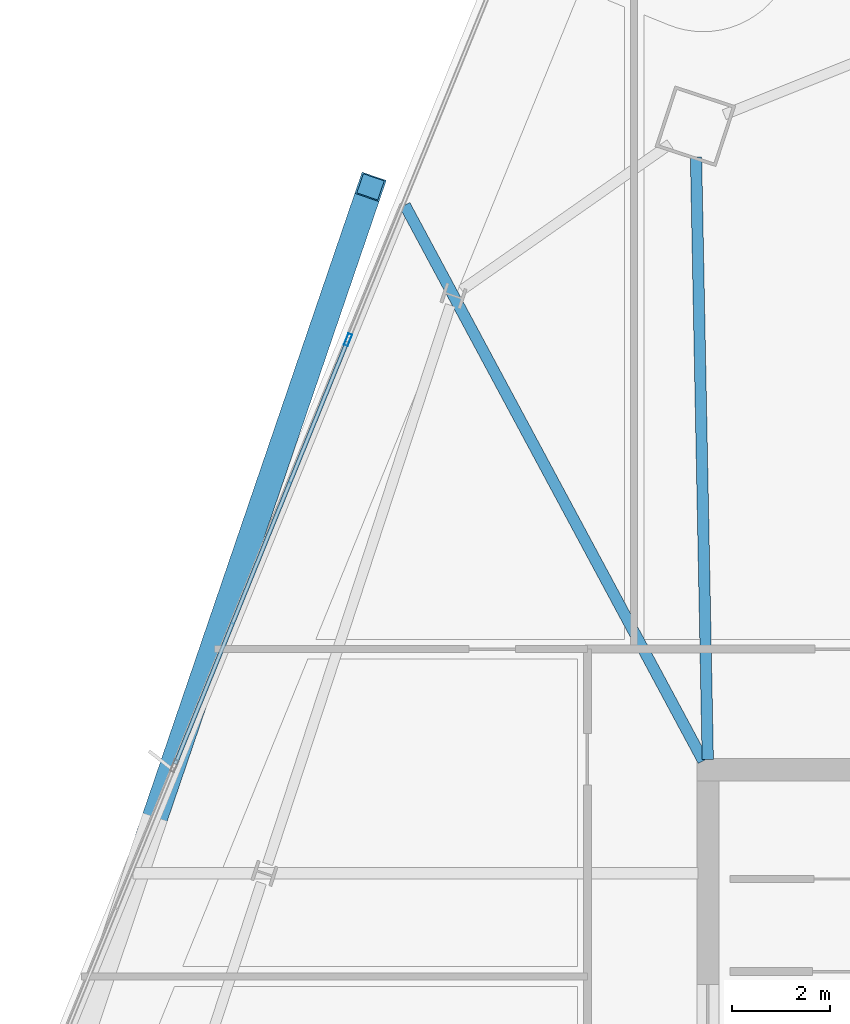
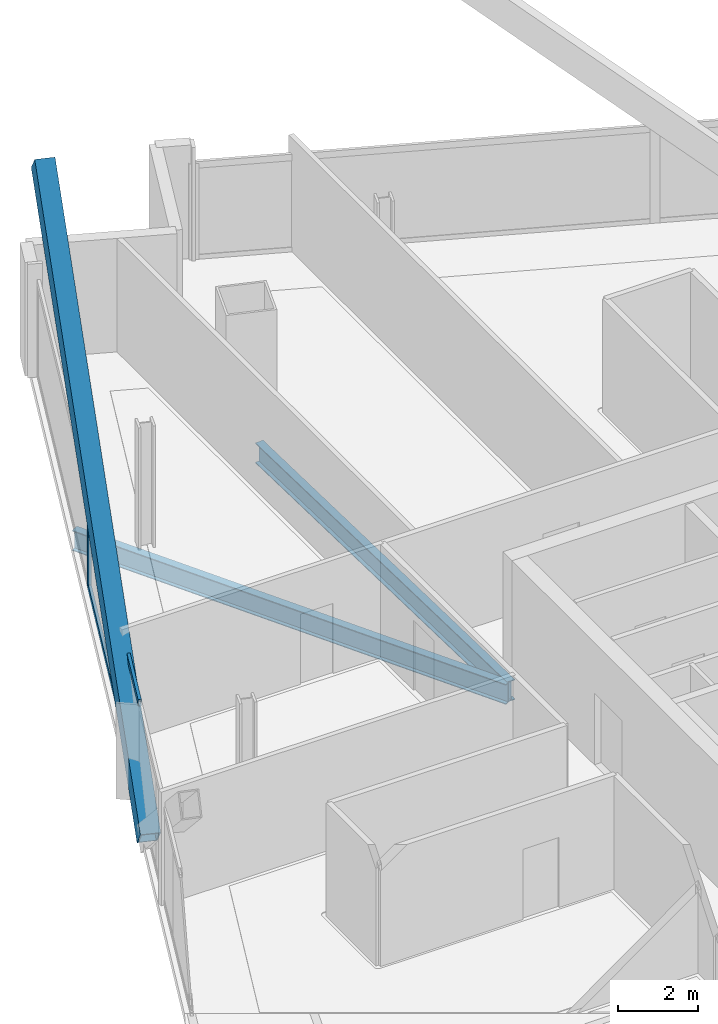
# One storey, part 17 of 31: 4 members, 2 beams, 1 element without a shape of its own.
"""IFC4 building model written with IfcOpenShell, lengths in metres."""

from ifc_helpers import new_model, si_unit, direction, frame, origin, origin_2d, place, context, subcontext, project, spatial, hollow_rectangle, i_section, extrude, material, material_profile, profile_set, type_object, element, aggregate, save


model = new_model("IFC4")

# Units and contexts
model_context = context("Model", 3, precision=1e-05, world=origin(), true_north=direction((0.0, 1.0)))
body_context = subcontext(model_context, "Body", "Model", "MODEL_VIEW")
ifc_project = project(units=[si_unit("LENGTHUNIT", "METRE"), si_unit("AREAUNIT", "SQUARE_METRE"), si_unit("VOLUMEUNIT", "CUBIC_METRE"), si_unit("PLANEANGLEUNIT", "RADIAN"), si_unit("MASSUNIT", "GRAM", prefix="KILO")], contexts=[model_context])

# Site, building, storey
site_placement = place(None, origin())
site = spatial("IfcSite", under=ifc_project, at=site_placement, CompositionType="ELEMENT")
building_placement = place(site_placement, origin())
building = spatial("IfcBuilding", under=site, at=building_placement, Name="Haldenkirk Collegiate Tower", CompositionType="ELEMENT")
storey_placement = place(building_placement, frame((0.0, 0.0, 256.199951171875)))
storey = spatial("IfcBuildingStorey", under=building, at=storey_placement, Name="L64", CompositionType="ELEMENT", Elevation=256.199951171875)

# Beams
ifc_material_1 = material(Name="Steel ASTM A992 Grade 50", Category="steel")
ifc_material_profile_1 = material_profile(ifc_material_1, i_section(OverallWidth=0.22998046875, OverallDepth=0.616943359375, WebThickness=0.01318359375, FlangeThickness=0.022216796875, at=origin_2d()), Name="W24X94")
ifc_profile_set_1 = profile_set([ifc_material_profile_1], Name="Steel ASTM A992 Grade 50")
beam_type = type_object("IfcBeamType", Name="BM-GIRDER-W24X94", PredefinedType="BEAM", material=ifc_profile_set_1)
beam_1_placement = place(storey_placement, frame((26.75732421875, 46.443603515625, -0.578369140625), z_axis=(0.019505953171, -0.999809740796, 0.0), x_axis=(0.999809740796, 0.019505953171, 0.0)))
element("IfcBeam", 1, at=beam_1_placement, inside=storey, type_object=beam_type, Name="L64 primary floor girder 03", PredefinedType="BEAM", context=body_context, shape_type="SweptSolid", body=[
    extrude(i_section(OverallWidth=0.22998046875, OverallDepth=0.616943359375, WebThickness=0.01318359375, FlangeThickness=0.022216796875, at=origin_2d()), origin(), (0.0, 0.0, 1.0), 12.240966796875),
])
beam_2_placement = place(storey_placement, frame((20.842041015625, 45.469482421875, -0.578369140625), z_axis=(0.473037080736, -0.881042518979, 0.0), x_axis=(0.881042518979, 0.473037080736, 0.0)))
element("IfcBeam", 2, at=beam_2_placement, inside=storey, type_object=beam_type, Name="L64 primary floor girder 11", PredefinedType="BEAM", context=body_context, shape_type="SweptSolid", body=[
    extrude(i_section(OverallWidth=0.22998046875, OverallDepth=0.616943359375, WebThickness=0.01318359375, FlangeThickness=0.022216796875, at=origin_2d()), origin(), (0.0, 0.0, 1.0), 12.81298828125),
])

# Curtain wall, members
ifc_material_2 = material(Name="Anodised architectural bronze aluminium", Category="aluminium")
curtain_wall_type = type_object("IfcCurtainWallType", Name="CW-SYS1B-CONVEX-HI", PredefinedType="USERDEFINED", material=ifc_material_2)
curtain_wall_placement = place(storey_placement, origin())
curtain_wall = element("IfcCurtainWall", 3, at=curtain_wall_placement, inside=storey, type_object=curtain_wall_type, Name="L64 Upper tower high-wind convex bronze unitised curtain wall", ObjectType="UNITISED CURTAIN WALL", PredefinedType="USERDEFINED")
ifc_material_profile_2 = material_profile(ifc_material_2, hollow_rectangle(XDim=0.0849609375, YDim=0.25, WallThickness=0.0048828125, at=origin_2d()), Name="CW-MUL-1B")
ifc_profile_set_2 = profile_set([ifc_material_profile_2], Name="Anodised architectural bronze aluminium")
member_type_1 = type_object("IfcMemberType", Name="CW-MUL-1B", PredefinedType="MULLION", material=ifc_profile_set_2)
member_1_placement = place(storey_placement, frame((19.68603515625, 42.73583984375, 0.0), z_axis=(0.0, 0.0, 1.0), x_axis=(-0.926198931916, 0.377035195329, 0.0)))
member_1 = element("IfcMember", 4, at=member_1_placement, type_object=member_type_1, Name="CW-1B mullion 4", PredefinedType="MULLION", context=body_context, shape_type="SweptSolid", body=[
    extrude(hollow_rectangle(XDim=0.0849609375, YDim=0.25, WallThickness=0.0048828125, at=origin_2d()), origin(), (0.0, 0.0, 1.0), 2.93798828125),
])
ifc_material_profile_3 = material_profile(ifc_material_2, hollow_rectangle(XDim=0.0849609375, YDim=0.199951171875, WallThickness=0.0048828125, at=origin_2d()), Name="CW-TRN-1B")
ifc_profile_set_3 = profile_set([ifc_material_profile_3], Name="Anodised architectural bronze aluminium")
member_type_2 = type_object("IfcMemberType", Name="CW-TRN-1B", PredefinedType="USERDEFINED", material=ifc_profile_set_3)
member_2_placement = place(storey_placement, frame((16.1767578125, 34.115478515625, 0.04248046875), z_axis=(0.377035714517, 0.926198720566, 0.0), x_axis=(-0.926198720566, 0.377035714517, 0.0)))
member_2 = element("IfcMember", 5, at=member_2_placement, type_object=member_type_2, Name="CW-1B transom 3.1", ObjectType="TRANSOM", PredefinedType="USERDEFINED", context=body_context, shape_type="SweptSolid", body=[
    extrude(hollow_rectangle(XDim=0.0849609375, YDim=0.199951171875, WallThickness=0.0048828125, at=origin_2d()), origin(), (0.0, 0.0, 1.0), 9.264892578125),
])
member_3_placement = place(storey_placement, frame((16.1767578125, 34.115478515625, 2.8955078125), z_axis=(0.377035714517, 0.926198720566, 0.0), x_axis=(-0.926198720566, 0.377035714517, 0.0)))
member_3 = element("IfcMember", 6, at=member_3_placement, type_object=member_type_2, Name="CW-1B transom 3.2", ObjectType="TRANSOM", PredefinedType="USERDEFINED", context=body_context, shape_type="SweptSolid", body=[
    extrude(hollow_rectangle(XDim=0.0849609375, YDim=0.199951171875, WallThickness=0.0048828125, at=origin_2d()), origin(), (0.0, 0.0, 1.0), 9.264892578125),
])
aggregate(curtain_wall, [member_1, member_2, member_3])

# Member
ifc_material_3 = material(Name="Steel ASTM A572 Grade 50", Category="steel")
ifc_material_profile_4 = material_profile(ifc_material_3, hollow_rectangle(XDim=0.52001953125, YDim=0.719970703125, WallThickness=0.035888671875, at=origin_2d()), Name="BOX720X520X36")
ifc_profile_set_4 = profile_set([ifc_material_profile_4], Name="Steel ASTM A572 Grade 50")
member_type_3 = type_object("IfcMemberType", Name="MBR-MEGABRACE-BOX720X520X36", PredefinedType="BRACE", material=ifc_profile_set_4)
member_4_placement = place(storey_placement, frame((15.690185546875, 32.813720703125, -0.280029296875), z_axis=(0.250520706636, 0.732737023235, 0.632720973516), x_axis=(-0.946224275451, 0.32351139168, 0.0)))
element("IfcMember", 7, at=member_4_placement, inside=storey, type_object=member_type_3, Name="Perimeter Mega Brace Z5 L64-L66 NL", PredefinedType="BRACE", context=body_context, shape_type="SweptSolid", body=[
    extrude(hollow_rectangle(XDim=0.52001953125, YDim=0.719970703125, WallThickness=0.035888671875, at=origin_2d()), origin(), (0.0, 0.0, 1.0), 17.7802734375),
])

save(model, "model.ifc")
